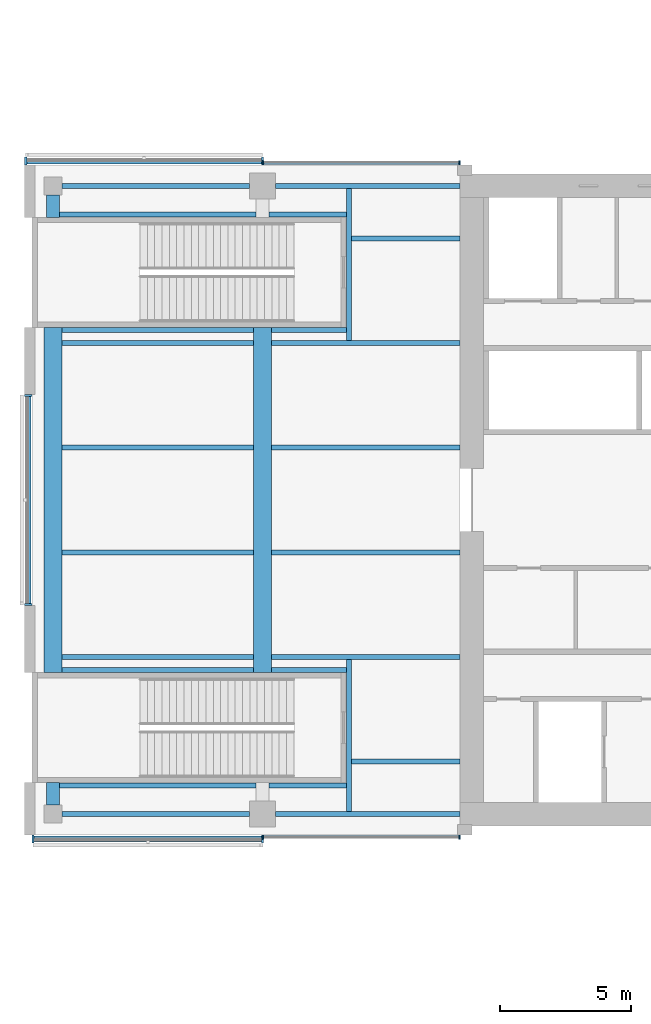
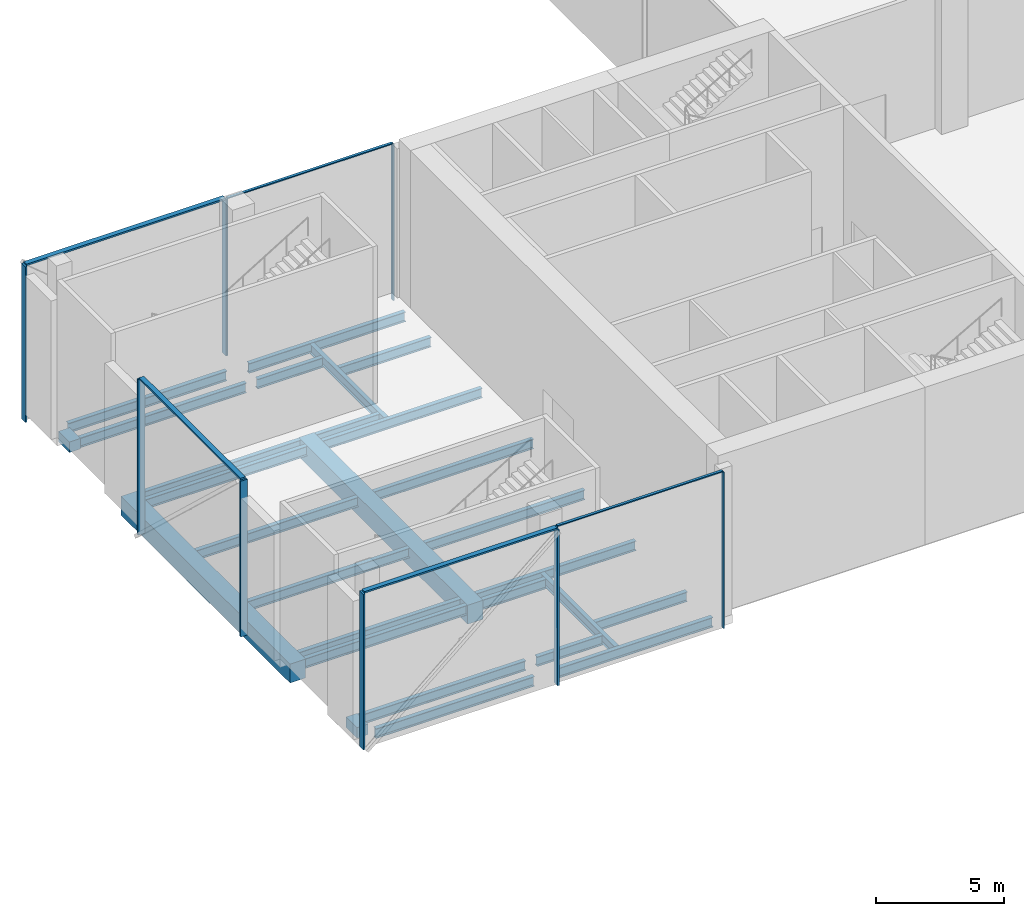
# One storey, part 4 of 25: 28 beams, 15 members, 5 elements without a shape of their own.
"""IFC4 building model written with IfcOpenShell, lengths in metres."""

import ifcopenshell
import ifcopenshell.guid

model = None  # the IFC model being written
_history = None  # IfcOwnerHistory: only IFC2X3 demands one
_inside = {}  # id of a spatial element -> (the spatial element, [elements in it])
_under = {}  # id of a project, library or spatial element -> (it, [spatial elements below it])
_declared = {}  # id of a project -> (the project, [libraries it declares])
_typed = {}  # id of a type object -> (the type object, [elements of that type])
_made_of = {}  # id of a material, layer set ... -> (it, [elements and type objects made of it])


def new_model(schema):
    """Start an empty IFC model of exactly this schema.

    Asked for "IFC4X3", IfcOpenShell would pick the latest addendum, in which some entities
    have other attributes; the version numbers below select the first issue.
    IFC2X3 requires an IfcOwnerHistory on every rooted entity: one is made here for all.
    """
    global model, _history
    if schema == "IFC4X3":
        model = ifcopenshell.file(schema_version=(4, 3, 0, 0))
    else:
        model = ifcopenshell.file(schema=schema)
    _inside.clear()
    _under.clear()
    _declared.clear()
    _typed.clear()
    _made_of.clear()
    _history = None
    if model.schema == "IFC2X3":
        org = make("IfcOrganization", Name="unknown")
        user = make(
            "IfcPersonAndOrganization",
            ThePerson=make("IfcPerson", FamilyName="unknown"),
            TheOrganization=org,
        )
        app = make(
            "IfcApplication",
            ApplicationDeveloper=org,
            Version="unknown",
            ApplicationFullName="unknown",
            ApplicationIdentifier="unknown",
        )
        _history = make(
            "IfcOwnerHistory",
            OwningUser=user,
            OwningApplication=app,
            ChangeAction="ADDED",
            CreationDate=0,
        )
    return model


def make(cls, **values):
    """One entity of the class cls with the attributes given. An attribute that is None is left unset."""
    return model.create_entity(
        cls, **{name: value for name, value in values.items() if value is not None}
    )


def rooted(cls, **values):
    """An entity with a GlobalId (a new one), such as an element, a storey or a relation."""
    return make(cls, GlobalId=ifcopenshell.guid.new(), OwnerHistory=_history, **values)


def si_unit(unit_type, name, prefix=None):
    """IfcSIUnit, for example si_unit("LENGTHUNIT", "METRE", prefix="MILLI")."""
    return make("IfcSIUnit", UnitType=unit_type, Prefix=prefix, Name=name)


def assignment(units):
    """IfcUnitAssignment: the units of a project."""
    return None if units is None else make("IfcUnitAssignment", Units=units)


def point(xyz):
    """IfcCartesianPoint."""
    return None if xyz is None else make("IfcCartesianPoint", Coordinates=xyz)


def direction(xyz):
    """IfcDirection."""
    return None if xyz is None else make("IfcDirection", DirectionRatios=xyz)


def frame(location, z_axis=None, x_axis=None):
    """IfcAxis2Placement3D, a coordinate frame: its origin and axes. An axis left out is left unset."""
    return make(
        "IfcAxis2Placement3D",
        Location=point(location),
        Axis=direction(z_axis),
        RefDirection=direction(x_axis),
    )


def frame_2d(location, x_axis=None):
    """IfcAxis2Placement2D, a coordinate frame in the plane: its origin and x axis."""
    return make(
        "IfcAxis2Placement2D", Location=point(location), RefDirection=direction(x_axis)
    )


def origin():
    """The frame at (0, 0, 0) with its axes left unset."""
    return frame((0.0, 0.0, 0.0))


def origin_2d():
    """The frame at (0, 0) in the plane with its x axis left unset."""
    return frame_2d((0.0, 0.0))


def place(relative_to, where):
    """IfcLocalPlacement: puts the frame where relative to a parent placement (None: the world)."""
    return make(
        "IfcLocalPlacement", PlacementRelTo=relative_to, RelativePlacement=where
    )


def context(
    kind, dimensions, precision=None, world=None, true_north=None, identifier=None
):
    """IfcGeometricRepresentationContext, for example the 3D "Model" context."""
    return make(
        "IfcGeometricRepresentationContext",
        ContextIdentifier=identifier,
        ContextType=kind,
        CoordinateSpaceDimension=dimensions,
        Precision=precision,
        WorldCoordinateSystem=world,
        TrueNorth=true_north,
    )


def subcontext(parent, identifier, kind, view, scale=None):
    """IfcGeometricRepresentationSubContext, for example "Body" below "Model"."""
    return make(
        "IfcGeometricRepresentationSubContext",
        ContextIdentifier=identifier,
        ContextType=kind,
        ParentContext=parent,
        TargetScale=scale,
        TargetView=view,
    )


def project(units=None, contexts=None):
    """IfcProject with its units and contexts."""
    return rooted(
        "IfcProject",
        Name="project",
        RepresentationContexts=contexts,
        UnitsInContext=assignment(units),
    )


def spatial(cls, under=None, at=None, **own):
    """A site, building, storey or space (cls), placed at a placement, below another one or the project."""
    s = rooted(cls, ObjectPlacement=at, **own)
    if under is not None:
        _under.setdefault(under.id(), (under, []))[1].append(s)
    return s


def profile(cls, at=None, kind="AREA", **sizes):
    """A parametric profile (cls). Its sizes go by their IFC names, for example OverallWidth=200.0."""
    return make(cls, ProfileType=kind, Position=at, **sizes)


def rectangle(**sizes):
    """IfcRectangleProfileDef."""
    return profile("IfcRectangleProfileDef", **sizes)


def i_section(**sizes):
    """IfcIShapeProfileDef."""
    return profile("IfcIShapeProfileDef", **sizes)


def extrude(swept, where, along, depth):
    """IfcExtrudedAreaSolid: the profile swept, set in the frame where, extruded along a direction by depth."""
    return make(
        "IfcExtrudedAreaSolid",
        SweptArea=swept,
        Position=where,
        ExtrudedDirection=direction(along),
        Depth=depth,
    )


def shape(context_of_items, identifier, shape_type, items):
    """IfcShapeRepresentation: the items that make up one representation, for example the "Body"."""
    return make(
        "IfcShapeRepresentation",
        ContextOfItems=context_of_items,
        RepresentationIdentifier=identifier,
        RepresentationType=shape_type,
        Items=items,
    )


def material(Name=None, Category=None):
    """IfcMaterial."""
    return make("IfcMaterial", Name=Name, Category=Category)


def material_profile(
    of_material, cross_section, Name=None, Category=None, Priority=None
):
    """IfcMaterialProfile: a cross section and its material."""
    return make(
        "IfcMaterialProfile",
        Name=Name,
        Material=of_material,
        Profile=cross_section,
        Priority=Priority,
        Category=Category,
    )


def profile_set(profiles, Name=None, composite=None):
    """IfcMaterialProfileSet."""
    return make(
        "IfcMaterialProfileSet",
        Name=Name,
        MaterialProfiles=profiles,
        CompositeProfile=composite,
    )


def made_of(thing, what):
    """Note that an element or type object is made of a material, layer set ...; save() writes the relation."""
    if what is not None:
        _made_of.setdefault(what.id(), (what, []))[1].append(thing)
    return thing


def type_object(cls, material=None, **own):
    """A type object (cls), such as IfcWallType, which elements share."""
    return made_of(rooted(cls, **own), material)


def element(
    cls,
    number,
    at=None,
    inside=None,
    cuts=None,
    type_object=None,
    material=None,
    context=None,
    identifier="Body",
    shape_type=None,
    held_by="IfcProductDefinitionShape",
    body=None,
    shapes=None,
    **own,
):
    """One element of the class cls, such as IfcWall. Its Tag is "e" and its number.

    at: its placement. inside: the storey or other place that contains it. cuts: it is an
    opening in that element (IfcRelVoidsElement). A single representation is given by context,
    identifier, shape_type and body (its items); several are given by shapes. held_by: the class
    of the entity that holds the representations. save() writes the other relations.
    """
    e = rooted(cls, Tag="e%d" % number, ObjectPlacement=at, **own)
    if body is not None:
        shapes = [shape(context, identifier, shape_type, body)]
    if shapes is not None:
        e.Representation = make(held_by, Representations=shapes)
    if inside is not None:
        _inside.setdefault(inside.id(), (inside, []))[1].append(e)
    if cuts is not None:
        rooted(
            "IfcRelVoidsElement", RelatingBuildingElement=cuts, RelatedOpeningElement=e
        )
    if type_object is not None:
        _typed.setdefault(type_object.id(), (type_object, []))[1].append(e)
    return made_of(e, material)


def aggregate(whole, parts):
    """IfcRelAggregates: a whole, such as a stair, and the parts it consists of."""
    return rooted("IfcRelAggregates", RelatingObject=whole, RelatedObjects=parts)


def save(model, path):
    """Write the relations noted so far, then the file.

    IfcRelAggregates (storeys below a building ...), IfcRelContainedInSpatialStructure (elements
    in a storey), IfcRelDefinesByType, IfcRelAssociatesMaterial and IfcRelDeclares: one each for
    every whole, place, type object, material and project.
    """
    for whole, parts in _under.values():
        aggregate(whole, parts)
    for where, things in _inside.values():
        rooted(
            "IfcRelContainedInSpatialStructure",
            RelatedElements=things,
            RelatingStructure=where,
        )
    for kind, things in _typed.values():
        rooted("IfcRelDefinesByType", RelatedObjects=things, RelatingType=kind)
    for what, things in _made_of.values():
        rooted("IfcRelAssociatesMaterial", RelatedObjects=things, RelatingMaterial=what)
    for by, libraries in _declared.values():
        rooted("IfcRelDeclares", RelatingContext=by, RelatedDefinitions=libraries)
    model.write(path)


model = new_model("IFC4")

# Units and contexts
model_context = context("Model", 3, precision=1e-05, world=origin(), true_north=direction((0.0, 1.0)))
body_context = subcontext(model_context, "Body", "Model", "MODEL_VIEW")
ifc_project = project(units=[si_unit("LENGTHUNIT", "METRE"), si_unit("AREAUNIT", "SQUARE_METRE"), si_unit("VOLUMEUNIT", "CUBIC_METRE"), si_unit("PLANEANGLEUNIT", "RADIAN"), si_unit("MASSUNIT", "GRAM", prefix="KILO")], contexts=[model_context])

# Site, building, storey
site_placement = place(None, origin())
site = spatial("IfcSite", under=ifc_project, at=site_placement, CompositionType="ELEMENT")
building_placement = place(site_placement, origin())
building = spatial("IfcBuilding", under=site, at=building_placement, Name="Crosswind Convention Tower", CompositionType="ELEMENT")
storey_placement = place(building_placement, frame((0.0, 0.0, 17.5)))
storey = spatial("IfcBuildingStorey", under=building, at=storey_placement, Name="L02", CompositionType="ELEMENT", Elevation=17.5)

# Beams
ifc_material_1 = material(Name="Steel S355", Category="steel")
ifc_material_profile_1 = material_profile(ifc_material_1, i_section(OverallWidth=0.19287109375, OverallDepth=0.467529296875, WebThickness=0.011474609375, FlangeThickness=0.01953125, FilletRadius=0.01025390625, at=origin_2d()), Name="UB 457x191x98")
ifc_profile_set_1 = profile_set([ifc_material_profile_1], Name="Steel S355")
beam_type_1 = type_object("IfcBeamType", Name="Edge beam UB 457x191x98", PredefinedType="SPANDREL", material=ifc_profile_set_1)
for number, where, z_axis, x_axis, name in (
    (1, (81.35009765625, 88.0, -0.6337890625), (1.0, 0.0, 0.0), (0.0, 1.0, 0.0), "B20 L02 edge beam 1"),
    (2, (81.35009765625, 112.0, -0.6337890625), (1.0, 0.0, 0.0), (0.0, 1.0, 0.0), "B20 L02 edge beam 2"),
):
    element("IfcBeam", number, at=place(storey_placement, frame(where, z_axis=z_axis, x_axis=x_axis)), inside=storey, type_object=beam_type_1, Name=name, PredefinedType="SPANDREL", context=body_context, shape_type="SweptSolid", body=[
        extrude(i_section(OverallWidth=0.19287109375, OverallDepth=0.467529296875, WebThickness=0.011474609375, FlangeThickness=0.01953125, FilletRadius=0.01025390625, at=origin_2d()), origin(), (0.0, 0.0, 1.0), 7.14990234375),
    ])
for number, where, z_axis, x_axis, name in (
    (3, (89.5, 88.0, -0.6337890625), (1.0, 0.0, 0.0), (0.0, 1.0, 0.0), "B20 L02 edge beam 3"),
    (4, (89.5, 112.0, -0.6337890625), (1.0, 0.0, 0.0), (0.0, 1.0, 0.0), "B20 L02 edge beam 4"),
):
    element("IfcBeam", number, at=place(storey_placement, frame(where, z_axis=z_axis, x_axis=x_axis)), inside=storey, type_object=beam_type_1, Name=name, PredefinedType="SPANDREL", context=body_context, shape_type="SweptSolid", body=[
        extrude(i_section(OverallWidth=0.19287109375, OverallDepth=0.467529296875, WebThickness=0.011474609375, FlangeThickness=0.01953125, FilletRadius=0.01025390625, at=origin_2d()), origin(), (0.0, 0.0, 1.0), 7.050048828125),
    ])

# Curtain wall, members
ifc_material_2 = material(Name="Aluminium unitised curtain wall", Category="aluminium")
curtain_wall_type_1 = type_object("IfcCurtainWallType", Name="CORE END SLOT WALL 160", PredefinedType="USERDEFINED", material=ifc_material_2)
curtain_wall_1_placement = place(storey_placement, origin())
curtain_wall_1 = element("IfcCurtainWall", 5, at=curtain_wall_1_placement, inside=storey, type_object=curtain_wall_type_1, Name="CW6 L02 W-N.2-1 slot", ObjectType="UNITISED", PredefinedType="USERDEFINED")
ifc_material_3 = material(Name="Aluminium mullion", Category="aluminium")
ifc_material_profile_2 = material_profile(ifc_material_3, rectangle(XDim=0.159912109375, YDim=0.050048828125, at=origin_2d()), Name="AL 160X50")
ifc_profile_set_2 = profile_set([ifc_material_profile_2], Name="Aluminium mullion")
member_type_1 = type_object("IfcMemberType", Name="MULLION 50X160", PredefinedType="MULLION", material=ifc_profile_set_2)
member_1_placement = place(storey_placement, frame((96.52490234375, 112.8798828125, -0.39990234375), z_axis=(0.0, 0.0, 1.0), x_axis=(0.0, 1.0, 0.0)))
member_1 = element("IfcMember", 6, at=member_1_placement, type_object=member_type_1, Name="CW6 mullion 1", PredefinedType="MULLION", context=body_context, shape_type="SweptSolid", body=[
    extrude(rectangle(XDim=0.159912109375, YDim=0.050048828125, at=origin_2d()), origin(), (0.0, 0.0, 1.0), 7.449951171875),
])
member_2_placement = place(storey_placement, frame((89.02490234375, 112.8798828125, -0.39990234375), z_axis=(0.0, 0.0, 1.0), x_axis=(0.0, 1.0, 0.0)))
member_2 = element("IfcMember", 7, at=member_2_placement, type_object=member_type_1, Name="CW6 mullion 2", PredefinedType="MULLION", context=body_context, shape_type="SweptSolid", body=[
    extrude(rectangle(XDim=0.159912109375, YDim=0.050048828125, at=origin_2d()), origin(), (0.0, 0.0, 1.0), 7.449951171875),
])

curtain_wall_2_placement = place(storey_placement, origin())
curtain_wall_2 = element("IfcCurtainWall", 8, at=curtain_wall_2_placement, inside=storey, type_object=curtain_wall_type_1, Name="CW6 L02 W-S.1-2 slot", ObjectType="UNITISED", PredefinedType="USERDEFINED")
member_3_placement = place(storey_placement, frame((89.02490234375, 87.1201171875, -0.39990234375), z_axis=(0.0, 0.0, 1.0), x_axis=(0.0, -1.0, 0.0)))
member_3 = element("IfcMember", 9, at=member_3_placement, type_object=member_type_1, Name="CW6 mullion 1", PredefinedType="MULLION", context=body_context, shape_type="SweptSolid", body=[
    extrude(rectangle(XDim=0.159912109375, YDim=0.050048828125, at=origin_2d()), origin(), (0.0, 0.0, 1.0), 7.449951171875),
])
member_4_placement = place(storey_placement, frame((96.52490234375, 87.1201171875, -0.39990234375), z_axis=(0.0, 0.0, 1.0), x_axis=(0.0, -1.0, 0.0)))
member_4 = element("IfcMember", 10, at=member_4_placement, type_object=member_type_1, Name="CW6 mullion 2", PredefinedType="MULLION", context=body_context, shape_type="SweptSolid", body=[
    extrude(rectangle(XDim=0.159912109375, YDim=0.050048828125, at=origin_2d()), origin(), (0.0, 0.0, 1.0), 7.449951171875),
])

curtain_wall_type_2 = type_object("IfcCurtainWallType", Name="PODIUM UNITISED WALL 300", PredefinedType="USERDEFINED", material=ifc_material_2)
curtain_wall_3_placement = place(storey_placement, origin())
curtain_wall_3 = element("IfcCurtainWall", 11, at=curtain_wall_3_placement, inside=storey, type_object=curtain_wall_type_2, Name="CW1 L02 W-N 2", ObjectType="UNITISED", PredefinedType="USERDEFINED")
ifc_material_profile_3 = material_profile(ifc_material_3, rectangle(XDim=0.300048828125, YDim=0.080078125, at=origin_2d()), Name="AL 300X80")
ifc_profile_set_3 = profile_set([ifc_material_profile_3], Name="Aluminium mullion")
member_type_2 = type_object("IfcMemberType", Name="MULLION 80X300", PredefinedType="MULLION", material=ifc_profile_set_3)
member_5_placement = place(storey_placement, frame((89.0, 112.949951171875, -0.39990234375), z_axis=(0.0, 0.0, 1.0), x_axis=(0.0, 1.0, 0.0)))
member_5 = element("IfcMember", 12, at=member_5_placement, type_object=member_type_2, Name="CW1 mullion 1", PredefinedType="MULLION", context=body_context, shape_type="SweptSolid", body=[
    extrude(rectangle(XDim=0.300048828125, YDim=0.080078125, at=origin_2d()), origin(), (0.0, 0.0, 1.0), 7.419921875),
])
member_6_placement = place(storey_placement, frame((79.955078125, 112.949951171875, -0.39990234375), z_axis=(0.0, 0.0, 1.0), x_axis=(0.0, 1.0, 0.0)))
member_6 = element("IfcMember", 13, at=member_6_placement, type_object=member_type_2, Name="CW1 mullion 2", PredefinedType="MULLION", context=body_context, shape_type="SweptSolid", body=[
    extrude(rectangle(XDim=0.300048828125, YDim=0.080078125, at=origin_2d()), origin(), (0.0, 0.0, 1.0), 7.419921875),
])

curtain_wall_4_placement = place(storey_placement, origin())
curtain_wall_4 = element("IfcCurtainWall", 14, at=curtain_wall_4_placement, inside=storey, type_object=curtain_wall_type_2, Name="CW1 L02 W-TIP 1", ObjectType="UNITISED", PredefinedType="USERDEFINED")
member_7_placement = place(storey_placement, frame((80.050048828125, 104.0, -0.39990234375), z_axis=(0.0, 0.0, 1.0), x_axis=(-1.0, 0.0, 0.0)))
member_7 = element("IfcMember", 15, at=member_7_placement, type_object=member_type_2, Name="CW1 mullion 1", PredefinedType="MULLION", context=body_context, shape_type="SweptSolid", body=[
    extrude(rectangle(XDim=0.300048828125, YDim=0.080078125, at=origin_2d()), origin(), (0.0, 0.0, 1.0), 7.419921875),
])
member_8_placement = place(storey_placement, frame((80.050048828125, 96.0, -0.39990234375), z_axis=(0.0, 0.0, 1.0), x_axis=(-1.0, 0.0, 0.0)))
member_8 = element("IfcMember", 16, at=member_8_placement, type_object=member_type_2, Name="CW1 mullion 2", PredefinedType="MULLION", context=body_context, shape_type="SweptSolid", body=[
    extrude(rectangle(XDim=0.300048828125, YDim=0.080078125, at=origin_2d()), origin(), (0.0, 0.0, 1.0), 7.419921875),
])

curtain_wall_5_placement = place(storey_placement, origin())
curtain_wall_5 = element("IfcCurtainWall", 17, at=curtain_wall_5_placement, inside=storey, type_object=curtain_wall_type_2, Name="CW1 L02 W-S 1", ObjectType="UNITISED", PredefinedType="USERDEFINED")
member_9_placement = place(storey_placement, frame((80.239990234375, 87.050048828125, -0.39990234375), z_axis=(0.0, 0.0, 1.0), x_axis=(0.0, -1.0, 0.0)))
member_9 = element("IfcMember", 18, at=member_9_placement, type_object=member_type_2, Name="CW1 mullion 1", PredefinedType="MULLION", context=body_context, shape_type="SweptSolid", body=[
    extrude(rectangle(XDim=0.300048828125, YDim=0.080078125, at=origin_2d()), origin(), (0.0, 0.0, 1.0), 7.419921875),
])
member_10_placement = place(storey_placement, frame((89.0, 87.050048828125, -0.39990234375), z_axis=(0.0, 0.0, 1.0), x_axis=(0.0, -1.0, 0.0)))
member_10 = element("IfcMember", 19, at=member_10_placement, type_object=member_type_2, Name="CW1 mullion 2", PredefinedType="MULLION", context=body_context, shape_type="SweptSolid", body=[
    extrude(rectangle(XDim=0.300048828125, YDim=0.080078125, at=origin_2d()), origin(), (0.0, 0.0, 1.0), 7.419921875),
])

# Beams
ifc_material_4 = material(Name="Concrete C60/75", Category="concrete")
ifc_material_profile_4 = material_profile(ifc_material_4, rectangle(XDim=0.699951171875, YDim=0.89990234375, at=origin_2d()), Name="RC 700X900")
ifc_profile_set_4 = profile_set([ifc_material_profile_4], Name="Concrete C60/75")
beam_type_2 = type_object("IfcBeamType", Name="Prestressed concrete girder between stair walls RC 700X900", PredefinedType="BEAM", material=ifc_profile_set_4)
for number, where, z_axis, x_axis, name in (
    (20, (81.0, 93.39990234375, -0.85009765625), (0.0, 1.0, 0.0), (-1.0, 0.0, 0.0), "B41 L02 prestressed concrete girder between stair walls 1"),
    (21, (89.0, 93.39990234375, -0.85009765625), (0.0, 1.0, 0.0), (-1.0, 0.0, 0.0), "B41 L02 prestressed concrete girder between stair walls 2"),
):
    element("IfcBeam", number, at=place(storey_placement, frame(where, z_axis=z_axis, x_axis=x_axis)), inside=storey, type_object=beam_type_2, Name=name, PredefinedType="BEAM", context=body_context, shape_type="SweptSolid", body=[
        extrude(rectangle(XDim=0.699951171875, YDim=0.89990234375, at=origin_2d()), origin(), (0.0, 0.0, 1.0), 13.2001953125),
    ])
ifc_material_profile_5 = material_profile(ifc_material_1, i_section(OverallWidth=0.19140625, OverallDepth=0.460205078125, WebThickness=0.010009765625, FlangeThickness=0.01611328125, FilletRadius=0.01025390625, at=origin_2d()), Name="UB 457x191x82")
ifc_profile_set_5 = profile_set([ifc_material_profile_5], Name="Steel S355")
beam_type_3 = type_object("IfcBeamType", Name="Secondary beam UB 457x191x82", PredefinedType="JOIST", material=ifc_profile_set_5)
for number, where, z_axis, x_axis, name in (
    (22, (81.35009765625, 94.0, -0.630126953125), (1.0, 0.0, 0.0), (0.0, 1.0, 0.0), "B13 L02 secondary beam 1"),
    (23, (81.35009765625, 98.0, -0.630126953125), (1.0, 0.0, 0.0), (0.0, 1.0, 0.0), "B13 L02 secondary beam 2"),
    (24, (81.35009765625, 102.0, -0.630126953125), (1.0, 0.0, 0.0), (0.0, 1.0, 0.0), "B13 L02 secondary beam 3"),
    (25, (81.35009765625, 106.0, -0.630126953125), (1.0, 0.0, 0.0), (0.0, 1.0, 0.0), "B13 L02 secondary beam 4"),
):
    element("IfcBeam", number, at=place(storey_placement, frame(where, z_axis=z_axis, x_axis=x_axis)), inside=storey, type_object=beam_type_3, Name=name, PredefinedType="JOIST", context=body_context, shape_type="SweptSolid", body=[
        extrude(i_section(OverallWidth=0.19140625, OverallDepth=0.460205078125, WebThickness=0.010009765625, FlangeThickness=0.01611328125, FilletRadius=0.01025390625, at=origin_2d()), origin(), (0.0, 0.0, 1.0), 7.2998046875),
    ])
for number, where, z_axis, x_axis, name in (
    (26, (89.35009765625, 94.0, -0.630126953125), (1.0, 0.0, 0.0), (0.0, 1.0, 0.0), "B13 L02 secondary beam 5"),
    (27, (89.35009765625, 98.0, -0.630126953125), (1.0, 0.0, 0.0), (0.0, 1.0, 0.0), "B13 L02 secondary beam 6"),
    (28, (89.35009765625, 102.0, -0.630126953125), (1.0, 0.0, 0.0), (0.0, 1.0, 0.0), "B13 L02 secondary beam 7"),
    (29, (89.35009765625, 106.0, -0.630126953125), (1.0, 0.0, 0.0), (0.0, 1.0, 0.0), "B13 L02 secondary beam 8"),
):
    element("IfcBeam", number, at=place(storey_placement, frame(where, z_axis=z_axis, x_axis=x_axis)), inside=storey, type_object=beam_type_3, Name=name, PredefinedType="JOIST", context=body_context, shape_type="SweptSolid", body=[
        extrude(i_section(OverallWidth=0.19140625, OverallDepth=0.460205078125, WebThickness=0.010009765625, FlangeThickness=0.01611328125, FilletRadius=0.01025390625, at=origin_2d()), origin(), (0.0, 0.0, 1.0), 7.199951171875),
    ])
for number, where, z_axis, x_axis, name in (
    (30, (92.406005859375, 90.0, -0.630126953125), (1.0, 0.0, 0.0), (0.0, 1.0, 0.0), "B13 L02 secondary beam 9"),
    (31, (92.406005859375, 110.0, -0.630126953125), (1.0, 0.0, 0.0), (0.0, 1.0, 0.0), "B13 L02 secondary beam 10"),
):
    element("IfcBeam", number, at=place(storey_placement, frame(where, z_axis=z_axis, x_axis=x_axis)), inside=storey, type_object=beam_type_3, Name=name, PredefinedType="JOIST", context=body_context, shape_type="SweptSolid", body=[
        extrude(i_section(OverallWidth=0.19140625, OverallDepth=0.460205078125, WebThickness=0.010009765625, FlangeThickness=0.01611328125, FilletRadius=0.01025390625, at=origin_2d()), origin(), (0.0, 0.0, 1.0), 4.14404296875),
    ])
ifc_material_profile_6 = material_profile(ifc_material_4, rectangle(XDim=0.5, YDim=0.5, at=origin_2d()), Name="RC 500X500")
ifc_profile_set_6 = profile_set([ifc_material_profile_6], Name="Concrete C60/75")
beam_type_4 = type_object("IfcBeamType", Name="Slab edge tie beam RC 500X500", PredefinedType="BEAM", material=ifc_profile_set_6)
for number, where, z_axis, x_axis, name in (
    (32, (81.0, 88.35009765625, -0.64990234375), (0.0, 1.0, 0.0), (-1.0, 0.0, 0.0), "B42 L02 slab edge tie beam 1"),
    (33, (81.0, 110.800048828125, -0.64990234375), (0.0, 1.0, 0.0), (-1.0, 0.0, 0.0), "B42 L02 slab edge tie beam 2"),
):
    element("IfcBeam", number, at=place(storey_placement, frame(where, z_axis=z_axis, x_axis=x_axis)), inside=storey, type_object=beam_type_4, Name=name, PredefinedType="BEAM", context=body_context, shape_type="SweptSolid", body=[
        extrude(rectangle(XDim=0.5, YDim=0.5, at=origin_2d()), origin(), (0.0, 0.0, 1.0), 0.849853515625),
    ])

# Member
ifc_material_5 = material(Name="Aluminium transom", Category="aluminium")
ifc_material_profile_7 = material_profile(ifc_material_5, rectangle(XDim=0.1201171875, YDim=0.050048828125, at=origin_2d()), Name="AL 120X50")
ifc_profile_set_7 = profile_set([ifc_material_profile_7], Name="Aluminium transom")
member_type_3 = type_object("IfcMemberType", Name="TRANSOM 50X120", PredefinedType="USERDEFINED", material=ifc_profile_set_7)
member_11_placement = place(storey_placement, frame((96.5, 112.8798828125, 7.074951171875), z_axis=(-1.0, 0.0, 0.0), x_axis=(0.0, -1.0, 0.0)))
member_11 = element("IfcMember", 34, at=member_11_placement, type_object=member_type_3, Name="CW6 transom", ObjectType="TRANSOM", PredefinedType="USERDEFINED", context=body_context, shape_type="SweptSolid", body=[
    extrude(rectangle(XDim=0.1201171875, YDim=0.050048828125, at=origin_2d()), origin(), (0.0, 0.0, 1.0), 7.449951171875),
])

aggregate(curtain_wall_1, [member_1, member_2, member_11])

member_12_placement = place(storey_placement, frame((89.050048828125, 87.1201171875, 7.074951171875), z_axis=(1.0, 0.0, 0.0), x_axis=(0.0, 1.0, 0.0)))
member_12 = element("IfcMember", 35, at=member_12_placement, type_object=member_type_3, Name="CW6 transom", ObjectType="TRANSOM", PredefinedType="USERDEFINED", context=body_context, shape_type="SweptSolid", body=[
    extrude(rectangle(XDim=0.1201171875, YDim=0.050048828125, at=origin_2d()), origin(), (0.0, 0.0, 1.0), 7.449951171875),
])

aggregate(curtain_wall_2, [member_3, member_4, member_12])

ifc_material_profile_8 = material_profile(ifc_material_5, rectangle(XDim=0.219970703125, YDim=0.080078125, at=origin_2d()), Name="AL 220X80")
ifc_profile_set_8 = profile_set([ifc_material_profile_8], Name="Aluminium transom")
member_type_4 = type_object("IfcMemberType", Name="TRANSOM 80X220", PredefinedType="USERDEFINED", material=ifc_profile_set_8)
member_13_placement = place(storey_placement, frame((88.9599609375, 112.949951171875, 7.06005859375), z_axis=(-1.0, 0.0, 0.0), x_axis=(0.0, -1.0, 0.0)))
member_13 = element("IfcMember", 36, at=member_13_placement, type_object=member_type_4, Name="CW1 transom", ObjectType="TRANSOM", PredefinedType="USERDEFINED", context=body_context, shape_type="SweptSolid", body=[
    extrude(rectangle(XDim=0.219970703125, YDim=0.080078125, at=origin_2d()), origin(), (0.0, 0.0, 1.0), 8.96484375),
])

aggregate(curtain_wall_3, [member_5, member_6, member_13])

member_14_placement = place(storey_placement, frame((80.050048828125, 103.9599609375, 7.06005859375), z_axis=(0.0, -1.0, 0.0), x_axis=(1.0, 0.0, 0.0)))
member_14 = element("IfcMember", 37, at=member_14_placement, type_object=member_type_4, Name="CW1 transom", ObjectType="TRANSOM", PredefinedType="USERDEFINED", context=body_context, shape_type="SweptSolid", body=[
    extrude(rectangle(XDim=0.219970703125, YDim=0.080078125, at=origin_2d()), origin(), (0.0, 0.0, 1.0), 7.919921875),
])

aggregate(curtain_wall_4, [member_7, member_8, member_14])

member_15_placement = place(storey_placement, frame((80.280029296875, 87.050048828125, 7.06005859375), z_axis=(1.0, 0.0, 0.0), x_axis=(0.0, 1.0, 0.0)))
member_15 = element("IfcMember", 38, at=member_15_placement, type_object=member_type_4, Name="CW1 transom", ObjectType="TRANSOM", PredefinedType="USERDEFINED", context=body_context, shape_type="SweptSolid", body=[
    extrude(rectangle(XDim=0.219970703125, YDim=0.080078125, at=origin_2d()), origin(), (0.0, 0.0, 1.0), 8.679931640625),
])

aggregate(curtain_wall_5, [member_9, member_10, member_15])

# Beams
ifc_material_profile_9 = material_profile(ifc_material_1, i_section(OverallWidth=0.19189453125, OverallDepth=0.463623046875, WebThickness=0.010498046875, FlangeThickness=0.017578125, FilletRadius=0.01025390625, at=origin_2d()), Name="UB 457x191x90")
ifc_profile_set_9 = profile_set([ifc_material_profile_9], Name="Steel S355")
beam_type_5 = type_object("IfcBeamType", Name="Trimmer beam UB 457x191x90", PredefinedType="BEAM", material=ifc_profile_set_9)
for number, where, z_axis, x_axis, name in (
    (39, (88.64990234375, 93.510009765625, -0.6318359375), (-1.0, 0.0, 0.0), (0.0, -1.0, 0.0), "B33 L02 trimmer beam 1"),
    (40, (88.64990234375, 106.489990234375, -0.6318359375), (-1.0, 0.0, 0.0), (0.0, -1.0, 0.0), "B33 L02 trimmer beam 2"),
):
    element("IfcBeam", number, at=place(storey_placement, frame(where, z_axis=z_axis, x_axis=x_axis)), inside=storey, type_object=beam_type_5, Name=name, PredefinedType="BEAM", context=body_context, shape_type="SweptSolid", body=[
        extrude(i_section(OverallWidth=0.19189453125, OverallDepth=0.463623046875, WebThickness=0.010498046875, FlangeThickness=0.017578125, FilletRadius=0.01025390625, at=origin_2d()), origin(), (0.0, 0.0, 1.0), 7.2998046875),
    ])
for number, where, z_axis, x_axis, name in (
    (41, (88.75, 89.090087890625, -0.6318359375), (-1.0, 0.0, 0.0), (0.0, -1.0, 0.0), "B33 L02 trimmer beam 3"),
    (42, (88.75, 110.909912109375, -0.6318359375), (-1.0, 0.0, 0.0), (0.0, -1.0, 0.0), "B33 L02 trimmer beam 4"),
):
    element("IfcBeam", number, at=place(storey_placement, frame(where, z_axis=z_axis, x_axis=x_axis)), inside=storey, type_object=beam_type_5, Name=name, PredefinedType="BEAM", context=body_context, shape_type="SweptSolid", body=[
        extrude(i_section(OverallWidth=0.19189453125, OverallDepth=0.463623046875, WebThickness=0.010498046875, FlangeThickness=0.017578125, FilletRadius=0.01025390625, at=origin_2d()), origin(), (0.0, 0.0, 1.0), 7.5),
    ])
beam_1_placement = place(storey_placement, frame((92.214111328125, 89.090087890625, -0.6318359375), z_axis=(-1.0, 0.0, 0.0), x_axis=(0.0, -1.0, 0.0)))
element("IfcBeam", 43, at=beam_1_placement, inside=storey, type_object=beam_type_5, Name="B33 L02 trimmer beam 5", PredefinedType="BEAM", context=body_context, shape_type="SweptSolid", body=[
    extrude(i_section(OverallWidth=0.19189453125, OverallDepth=0.463623046875, WebThickness=0.010498046875, FlangeThickness=0.017578125, FilletRadius=0.01025390625, at=origin_2d()), origin(), (0.0, 0.0, 1.0), 2.964111328125),
])
for number, where, z_axis, x_axis, name in (
    (44, (92.214111328125, 93.510009765625, -0.6318359375), (-1.0, 0.0, 0.0), (0.0, -1.0, 0.0), "B33 L02 trimmer beam 6"),
    (45, (92.214111328125, 106.489990234375, -0.6318359375), (-1.0, 0.0, 0.0), (0.0, -1.0, 0.0), "B33 L02 trimmer beam 7"),
):
    element("IfcBeam", number, at=place(storey_placement, frame(where, z_axis=z_axis, x_axis=x_axis)), inside=storey, type_object=beam_type_5, Name=name, PredefinedType="BEAM", context=body_context, shape_type="SweptSolid", body=[
        extrude(i_section(OverallWidth=0.19189453125, OverallDepth=0.463623046875, WebThickness=0.010498046875, FlangeThickness=0.017578125, FilletRadius=0.01025390625, at=origin_2d()), origin(), (0.0, 0.0, 1.0), 2.864013671875),
    ])
beam_2_placement = place(storey_placement, frame((92.214111328125, 110.909912109375, -0.6318359375), z_axis=(-1.0, 0.0, 0.0), x_axis=(0.0, -1.0, 0.0)))
element("IfcBeam", 46, at=beam_2_placement, inside=storey, type_object=beam_type_5, Name="B33 L02 trimmer beam 8", PredefinedType="BEAM", context=body_context, shape_type="SweptSolid", body=[
    extrude(i_section(OverallWidth=0.19189453125, OverallDepth=0.463623046875, WebThickness=0.010498046875, FlangeThickness=0.017578125, FilletRadius=0.01025390625, at=origin_2d()), origin(), (0.0, 0.0, 1.0), 2.964111328125),
])
for number, where, z_axis, x_axis, name in (
    (47, (92.31005859375, 88.096435546875, -0.6318359375), (0.0, 1.0, 0.0), (-1.0, 0.0, 0.0), "B33 L02 trimmer beam 9"),
    (48, (92.31005859375, 106.095703125, -0.6318359375), (0.0, 1.0, 0.0), (-1.0, 0.0, 0.0), "B33 L02 trimmer beam 10"),
):
    element("IfcBeam", number, at=place(storey_placement, frame(where, z_axis=z_axis, x_axis=x_axis)), inside=storey, type_object=beam_type_5, Name=name, PredefinedType="BEAM", context=body_context, shape_type="SweptSolid", body=[
        extrude(i_section(OverallWidth=0.19189453125, OverallDepth=0.463623046875, WebThickness=0.010498046875, FlangeThickness=0.017578125, FilletRadius=0.01025390625, at=origin_2d()), origin(), (0.0, 0.0, 1.0), 5.807861328125),
    ])

save(model, "model.ifc")
